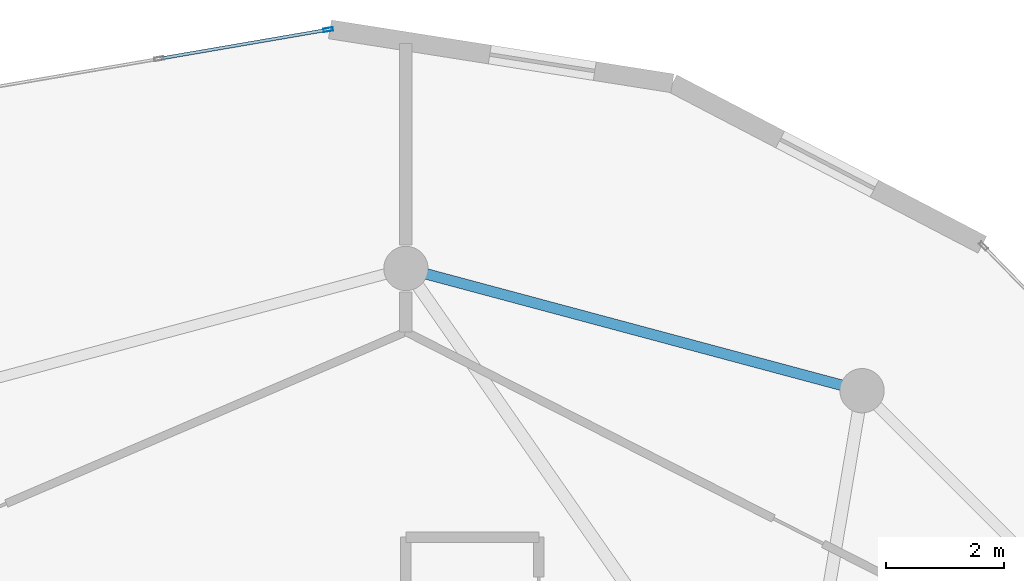
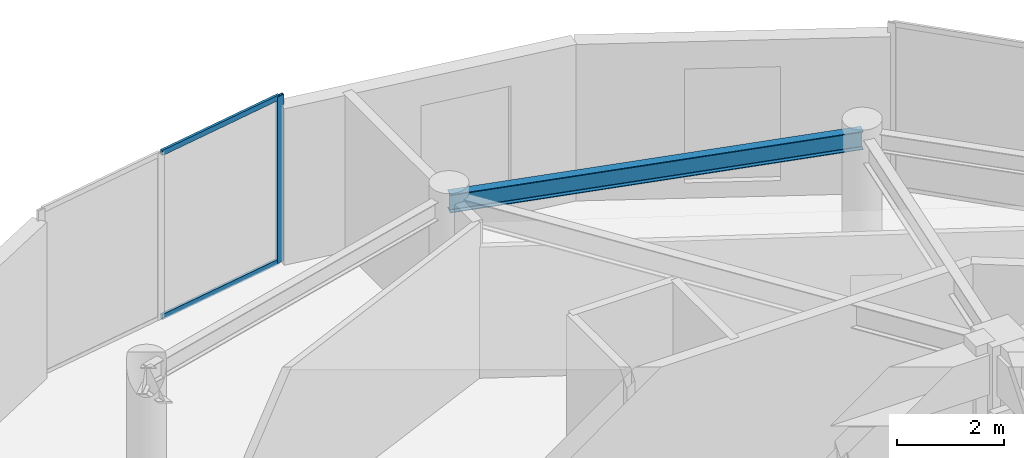
# One storey, part 14 of 22: 3 members, 1 beam, 1 element without a shape of its own.
"""IFC4 building model written with IfcOpenShell, lengths in metres."""

from ifc_helpers import new_model, si_unit, direction, frame, origin, origin_2d, place, context, subcontext, project, spatial, hollow_rectangle, i_section, extrude, source, transform, mapped, material, layer, layer_set, material_profile, profile_set, type_object, element, aggregate, save


model = new_model("IFC4")

# Units and contexts
model_context = context("Model", 3, precision=1e-05, world=origin(), true_north=direction((0.0, 1.0)))
body_context = subcontext(model_context, "Body", "Model", "MODEL_VIEW")
ifc_project = project(units=[si_unit("LENGTHUNIT", "METRE"), si_unit("AREAUNIT", "SQUARE_METRE"), si_unit("VOLUMEUNIT", "CUBIC_METRE"), si_unit("PLANEANGLEUNIT", "RADIAN"), si_unit("MASSUNIT", "GRAM", prefix="KILO")], contexts=[model_context])

# Site, building, storey
site_placement = place(None, origin())
site = spatial("IfcSite", under=ifc_project, at=site_placement, CompositionType="ELEMENT")
building_placement = place(site_placement, origin())
building = spatial("IfcBuilding", under=site, at=building_placement, Name="Solvirekh Grand Hotel", CompositionType="ELEMENT")
storey_placement = place(building_placement, frame((0.0, 0.0, 278.199951171875)))
storey = spatial("IfcBuildingStorey", under=building, at=storey_placement, Name="L72", CompositionType="ELEMENT", Elevation=278.199951171875)

# Beam
ifc_material_1 = material(Name="Steel S355", Category="steel")
ifc_material_profile_1 = material_profile(ifc_material_1, i_section(OverallWidth=0.180908203125, OverallDepth=0.4169921875, WebThickness=0.010009765625, FlangeThickness=0.01611328125, FilletRadius=0.011962890625, at=origin_2d()), Name="W410X85")
ifc_profile_set_1 = profile_set([ifc_material_profile_1], Name="Steel S355")
beam_type = type_object("IfcBeamType", Name="Spandrel_Ring_W410", PredefinedType="SPANDREL", material=ifc_profile_set_1)
beam_placement = place(storey_placement, frame((7.72509765625, 13.3798828125, 3.361083984375), z_axis=(-0.965921616143, 0.258834757072, 0.0), x_axis=(-0.258834757072, -0.965921616143, 0.0)))
element("IfcBeam", 1, at=beam_placement, inside=storey, type_object=beam_type, Name="L72 perimeter spandrel beam 3", PredefinedType="SPANDREL", context=body_context, shape_type="SweptSolid", body=[
    extrude(i_section(OverallWidth=0.180908203125, OverallDepth=0.4169921875, WebThickness=0.010009765625, FlangeThickness=0.01611328125, FilletRadius=0.011962890625, at=origin_2d()), origin(), (0.0, 0.0, 1.0), 7.99755859375),
])

# Curtain wall, members
ifc_material_2 = material(Name="Anodized Bronze Aluminium 6063-T6", Category="aluminium")
ifc_layer = layer(ifc_material_2, 0.159912109375)
ifc_layer_set = layer_set([ifc_layer], Name="Anodized Bronze Aluminium 6063-T6")
curtain_wall_type = type_object("IfcCurtainWallType", Name="CW_Sys4_HighZoneFlushBronzeCW", PredefinedType="NOTDEFINED", material=ifc_layer_set)
curtain_wall_placement = place(storey_placement, origin())
curtain_wall = element("IfcCurtainWall", 2, at=curtain_wall_placement, inside=storey, type_object=curtain_wall_type, Name="L72 unitised bronze-glass curtain wall CW-L72-C11", PredefinedType="NOTDEFINED")
ifc_material_profile_2 = material_profile(ifc_material_2, hollow_rectangle(XDim=0.06005859375, YDim=0.159912109375, WallThickness=0.0048828125, at=origin_2d()), Name="ALU RHS 160X60X5")
ifc_profile_set_2 = profile_set([ifc_material_profile_2], Name="Anodized Bronze Aluminium 6063-T6")
member_type_1 = type_object("IfcMemberType", Name="CWMullion_Sys4", PredefinedType="MULLION", material=ifc_profile_set_2)
shared_shape_1 = source(origin(), body_context, "Body", "SweptSolid", [
    extrude(hollow_rectangle(XDim=0.06005859375, YDim=0.159912109375, WallThickness=0.0048828125, at=origin_2d()), origin(), (0.0, 0.0, 1.0), 3.800048828125),
])
member_1_placement = place(storey_placement, frame((-1.315673828125, 19.494873046875, 0.0), z_axis=(0.0, 0.0, 1.0), x_axis=(0.169450661535, -0.985538671644, 0.0)))
member_1 = element("IfcMember", 3, at=member_1_placement, type_object=member_type_1, Name="U04 mullion 1", PredefinedType="MULLION", context=body_context, shape_type="MappedRepresentation", body=[
    mapped(shared_shape_1, transform((0.0, 0.0, 0.0), x_axis=(1.0, 0.0, 0.0), y_axis=(0.0, 1.0, 0.0), z_axis=(0.0, 0.0, 1.0), scale=1.0)),
])
ifc_material_profile_3 = material_profile(ifc_material_2, hollow_rectangle(XDim=0.054931640625, YDim=0.1201171875, WallThickness=0.00390625, at=origin_2d()), Name="ALU RHS 120X55X4")
ifc_profile_set_3 = profile_set([ifc_material_profile_3], Name="Anodized Bronze Aluminium 6063-T6")
member_type_2 = type_object("IfcMemberType", Name="CWTransom_Sys4", PredefinedType="USERDEFINED", material=ifc_profile_set_3)
shared_shape_2 = source(origin(), body_context, "Body", "SweptSolid", [
    extrude(hollow_rectangle(XDim=0.054931640625, YDim=0.1201171875, WallThickness=0.00390625, at=origin_2d()), origin(), (0.0, 0.0, 1.0), 2.845947265625),
])
member_2_placement = place(storey_placement, frame((-1.34521484375, 19.48974609375, 0.027587890625), z_axis=(-0.985541728945, -0.169432879062, 0.0), x_axis=(0.169432879062, -0.985541728945, 0.0)))
member_2 = element("IfcMember", 4, at=member_2_placement, type_object=member_type_2, Name="U04 transom 1.1", ObjectType="TRANSOM", PredefinedType="USERDEFINED", context=body_context, shape_type="MappedRepresentation", body=[
    mapped(shared_shape_2, transform((0.0, 0.0, 0.0), x_axis=(1.0, 0.0, 0.0), y_axis=(0.0, 1.0, 0.0), z_axis=(0.0, 0.0, 1.0), scale=1.0)),
])
member_3_placement = place(storey_placement, frame((-1.34521484375, 19.48974609375, 3.7724609375), z_axis=(-0.985541728945, -0.169432879062, 0.0), x_axis=(0.169432879062, -0.985541728945, 0.0)))
member_3 = element("IfcMember", 5, at=member_3_placement, type_object=member_type_2, Name="U04 transom 1.2", ObjectType="TRANSOM", PredefinedType="USERDEFINED", context=body_context, shape_type="MappedRepresentation", body=[
    mapped(shared_shape_2, transform((0.0, 0.0, 0.0), x_axis=(1.0, 0.0, 0.0), y_axis=(0.0, 1.0, 0.0), z_axis=(0.0, 0.0, 1.0), scale=1.0)),
])
aggregate(curtain_wall, [member_1, member_2, member_3])

save(model, "model.ifc")
